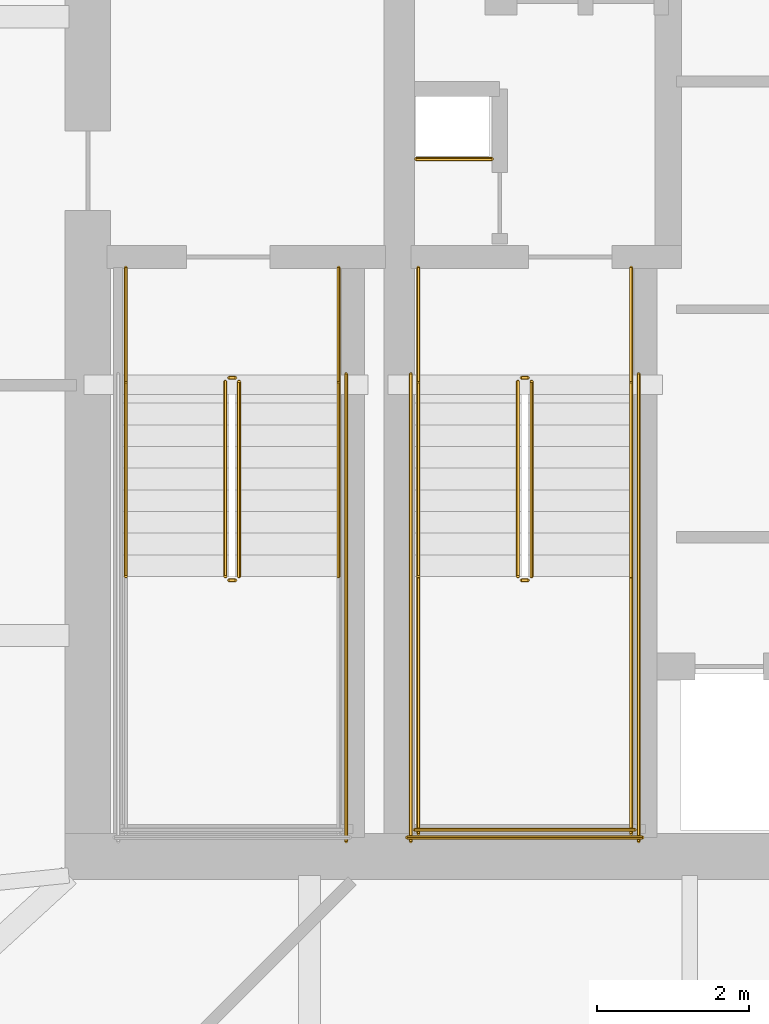
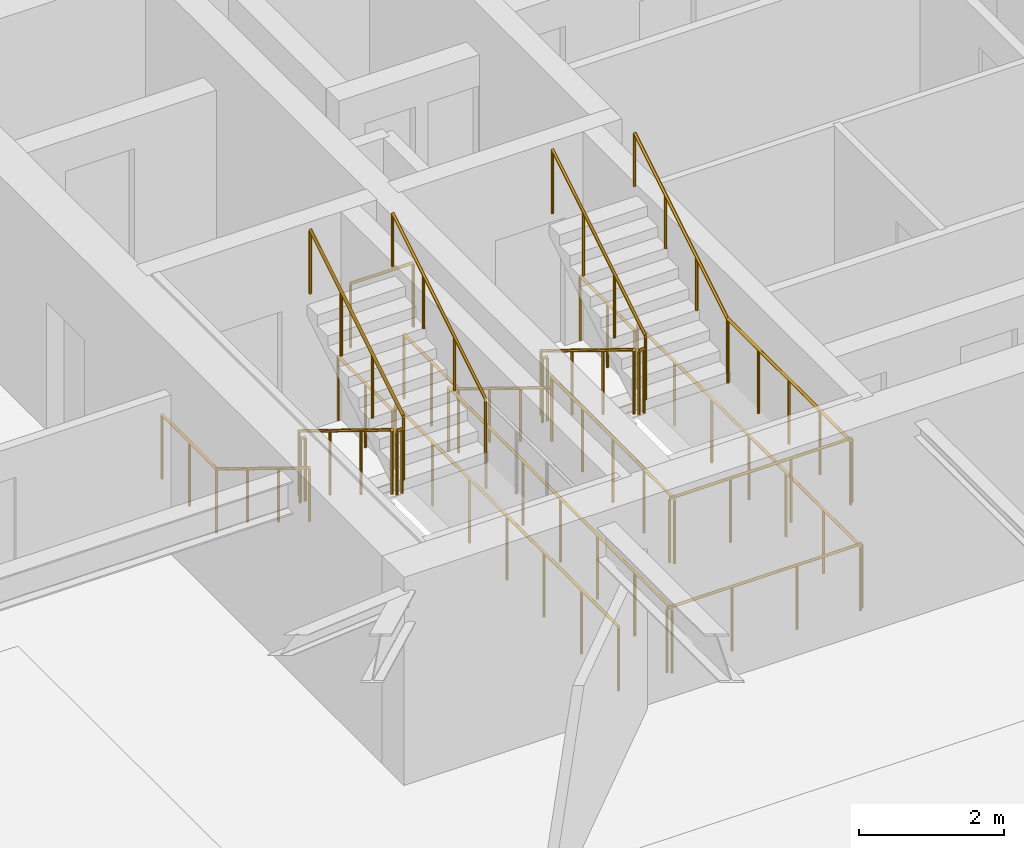
# One storey, part 18 of 21: 24 railings.
"""IFC4 building model written with IfcOpenShell, lengths in metres."""

from ifc_helpers import new_model, si_unit, direction, frame, origin, origin_2d, place, context, subcontext, project, spatial, circle, extrude, material, type_object, element, save


model = new_model("IFC4")

# Units and contexts
model_context = context("Model", 3, precision=1e-05, world=origin(), true_north=direction((0.0, 1.0)))
body_context = subcontext(model_context, "Body", "Model", "MODEL_VIEW")
ifc_project = project(units=[si_unit("LENGTHUNIT", "METRE"), si_unit("AREAUNIT", "SQUARE_METRE"), si_unit("VOLUMEUNIT", "CUBIC_METRE"), si_unit("PLANEANGLEUNIT", "RADIAN"), si_unit("MASSUNIT", "GRAM", prefix="KILO")], contexts=[model_context])

# Site, building, storey
site_placement = place(None, origin())
site = spatial("IfcSite", under=ifc_project, at=site_placement, CompositionType="ELEMENT")
building_placement = place(site_placement, origin())
building = spatial("IfcBuilding", under=site, at=building_placement, Name="Bramvorn Convention Spire", CompositionType="ELEMENT")
storey_placement = place(building_placement, frame((0.0, 0.0, 102.800048828125)))
storey = spatial("IfcBuildingStorey", under=building, at=storey_placement, Name="L24", CompositionType="ELEMENT", Elevation=102.800048828125)

# Railings
ifc_material_1 = material(Name="Painted Steel Balustrade & Guardrail", Category="steel")
railing_type_1 = type_object("IfcRailingType", Name="RL-STAIR-GUARD-1100", PredefinedType="GUARDRAIL", material=ifc_material_1)
railing_1_placement = place(storey_placement, frame((28.81005859375, 25.050048828125, 0.175048828125)))
element("IfcRailing", 1, at=railing_1_placement, inside=storey, type_object=railing_type_1, Name="L24 ST1 stair guard 1", PredefinedType="GUARDRAIL", context=body_context, shape_type="SweptSolid", body=[
    extrude(circle(Radius=0.02392578125, at=origin_2d()), frame((0.0, 0.0, 1.076171875), z_axis=(0.0, -0.852173129349, 0.523259933127), x_axis=(1.0, 0.0, 0.0)), (0.0, 0.0, 1.0), 3.009765625),
    extrude(circle(Radius=0.02099609375, at=origin_2d()), origin(), (0.0, 0.0, 1.0), 1.052001953125),
    extrude(circle(Radius=0.02099609375, at=origin_2d()), frame((0.0, -0.85498046875, 0.52490234375)), (0.0, 0.0, 1.0), 1.052001953125),
    extrude(circle(Radius=0.02099609375, at=origin_2d()), frame((0.0, -1.7099609375, 1.050048828125)), (0.0, 0.0, 1.0), 1.052001953125),
    extrude(circle(Radius=0.02099609375, at=origin_2d()), frame((0.0, -2.56494140625, 1.574951171875)), (0.0, 0.0, 1.0), 1.052001953125),
])
railing_2_placement = place(storey_placement, frame((28.860107421875, 22.43505859375, 1.75)))
element("IfcRailing", 2, at=railing_2_placement, inside=storey, type_object=railing_type_1, Name="L24 ST1 stair guard 2", PredefinedType="GUARDRAIL", context=body_context, shape_type="SweptSolid", body=[
    extrude(circle(Radius=0.02392578125, at=origin_2d()), frame((0.0, 0.0, 1.076171875), z_axis=(1.0, 0.0, 0.0), x_axis=(0.0, 1.0, 0.0)), (0.0, 0.0, 1.0), 0.079833984375),
    extrude(circle(Radius=0.02099609375, at=origin_2d()), origin(), (0.0, 0.0, 1.0), 1.052001953125),
    extrude(circle(Radius=0.02099609375, at=origin_2d()), frame((0.079833984375, 0.0, 0.0)), (0.0, 0.0, 1.0), 1.052001953125),
])
railing_3_placement = place(storey_placement, frame((28.989990234375, 22.485107421875, 1.925048828125)))
element("IfcRailing", 3, at=railing_3_placement, inside=storey, type_object=railing_type_1, Name="L24 ST1 stair guard 6", PredefinedType="GUARDRAIL", context=body_context, shape_type="SweptSolid", body=[
    extrude(circle(Radius=0.02392578125, at=origin_2d()), frame((0.0, 0.0, 1.076171875), z_axis=(0.0, 0.852173129349, 0.523259933127), x_axis=(-1.0, 0.0, 0.0)), (0.0, 0.0, 1.0), 3.009765625),
    extrude(circle(Radius=0.02099609375, at=origin_2d()), origin(), (0.0, 0.0, 1.0), 1.052001953125),
    extrude(circle(Radius=0.02099609375, at=origin_2d()), frame((0.0, 0.85498046875, 0.52490234375)), (0.0, 0.0, 1.0), 1.052001953125),
    extrude(circle(Radius=0.02099609375, at=origin_2d()), frame((0.0, 1.7099609375, 1.050048828125)), (0.0, 0.0, 1.0), 1.052001953125),
    extrude(circle(Radius=0.02099609375, at=origin_2d()), frame((0.0, 2.56494140625, 1.574951171875)), (0.0, 0.0, 1.0), 1.052001953125),
])
railing_4_placement = place(storey_placement, frame((28.860107421875, 25.10009765625, 0.0)))
element("IfcRailing", 4, at=railing_4_placement, inside=storey, type_object=railing_type_1, Name="L24 ST1 stair guard 7", PredefinedType="GUARDRAIL", context=body_context, shape_type="SweptSolid", body=[
    extrude(circle(Radius=0.02392578125, at=origin_2d()), frame((0.0, 0.0, 1.076171875), z_axis=(1.0, 0.0, 0.0), x_axis=(0.0, 1.0, 0.0)), (0.0, 0.0, 1.0), 0.079833984375),
    extrude(circle(Radius=0.02099609375, at=origin_2d()), origin(), (0.0, 0.0, 1.0), 1.052001953125),
    extrude(circle(Radius=0.02099609375, at=origin_2d()), frame((0.079833984375, 0.0, 0.0)), (0.0, 0.0, 1.0), 1.052001953125),
])
for number, where, name in (
    (5, (27.5, 26.550048828125, 0.0), "L24 ST1 stair guard 8"),
    (6, (30.300048828125, 26.550048828125, 0.0), "L24 ST1 stair guard 9"),
):
    element("IfcRailing", number, at=place(storey_placement, frame(where)), inside=storey, type_object=railing_type_1, Name=name, PredefinedType="GUARDRAIL", context=body_context, shape_type="SweptSolid", body=[
        extrude(circle(Radius=0.02392578125, at=origin_2d()), frame((0.0, 0.0, 1.076171875), z_axis=(0.0, -1.0, 0.0), x_axis=(1.0, 0.0, 0.0)), (0.0, 0.0, 1.0), 1.5),
        extrude(circle(Radius=0.02099609375, at=origin_2d()), origin(), (0.0, 0.0, 1.0), 1.052001953125),
        extrude(circle(Radius=0.02099609375, at=origin_2d()), frame((0.0, -0.75, 0.0)), (0.0, 0.0, 1.0), 1.052001953125),
        extrude(circle(Radius=0.02099609375, at=origin_2d()), frame((0.0, -1.5, 0.0)), (0.0, 0.0, 1.0), 1.052001953125),
    ])
railing_5_placement = place(storey_placement, frame((30.39990234375, 25.14990234375, 0.0)))
element("IfcRailing", 7, at=railing_5_placement, inside=storey, type_object=railing_type_1, Name="L24 ST1 stair guard 11", PredefinedType="GUARDRAIL", context=body_context, shape_type="SweptSolid", body=[
    extrude(circle(Radius=0.02392578125, at=origin_2d()), frame((0.0, 0.0, 1.076171875), z_axis=(0.0, -1.0, 0.0), x_axis=(1.0, 0.0, 0.0)), (0.0, 0.0, 1.0), 6.14990234375),
    extrude(circle(Radius=0.02099609375, at=origin_2d()), origin(), (0.0, 0.0, 1.0), 1.052001953125),
    extrude(circle(Radius=0.02099609375, at=origin_2d()), frame((0.0, -1.02490234375, 0.0)), (0.0, 0.0, 1.0), 1.052001953125),
    extrude(circle(Radius=0.02099609375, at=origin_2d()), frame((0.0, -2.050048828125, 0.0)), (0.0, 0.0, 1.0), 1.052001953125),
    extrude(circle(Radius=0.02099609375, at=origin_2d()), frame((0.0, -3.074951171875, 0.0)), (0.0, 0.0, 1.0), 1.052001953125),
    extrude(circle(Radius=0.02099609375, at=origin_2d()), frame((0.0, -4.099853515625, 0.0)), (0.0, 0.0, 1.0), 1.052001953125),
    extrude(circle(Radius=0.02099609375, at=origin_2d()), frame((0.0, -5.125, 0.0)), (0.0, 0.0, 1.0), 1.052001953125),
    extrude(circle(Radius=0.02099609375, at=origin_2d()), frame((0.0, -6.14990234375, 0.0)), (0.0, 0.0, 1.0), 1.052001953125),
])
railing_6_placement = place(storey_placement, frame((32.659912109375, 25.050048828125, 0.175048828125)))
element("IfcRailing", 8, at=railing_6_placement, inside=storey, type_object=railing_type_1, Name="L24 ST3 stair guard 1", PredefinedType="GUARDRAIL", context=body_context, shape_type="SweptSolid", body=[
    extrude(circle(Radius=0.02392578125, at=origin_2d()), frame((0.0, 0.0, 1.076171875), z_axis=(0.0, -0.852173129349, 0.523259933127), x_axis=(1.0, 0.0, 0.0)), (0.0, 0.0, 1.0), 3.009765625),
    extrude(circle(Radius=0.02099609375, at=origin_2d()), origin(), (0.0, 0.0, 1.0), 1.052001953125),
    extrude(circle(Radius=0.02099609375, at=origin_2d()), frame((0.0, -0.85498046875, 0.52490234375)), (0.0, 0.0, 1.0), 1.052001953125),
    extrude(circle(Radius=0.02099609375, at=origin_2d()), frame((0.0, -1.7099609375, 1.050048828125)), (0.0, 0.0, 1.0), 1.052001953125),
    extrude(circle(Radius=0.02099609375, at=origin_2d()), frame((0.0, -2.56494140625, 1.574951171875)), (0.0, 0.0, 1.0), 1.052001953125),
])
railing_7_placement = place(storey_placement, frame((32.7099609375, 22.43505859375, 1.75)))
element("IfcRailing", 9, at=railing_7_placement, inside=storey, type_object=railing_type_1, Name="L24 ST3 stair guard 2", PredefinedType="GUARDRAIL", context=body_context, shape_type="SweptSolid", body=[
    extrude(circle(Radius=0.02392578125, at=origin_2d()), frame((0.0, 0.0, 1.076171875), z_axis=(1.0, 0.0, 0.0), x_axis=(0.0, 1.0, 0.0)), (0.0, 0.0, 1.0), 0.080078125),
    extrude(circle(Radius=0.02099609375, at=origin_2d()), origin(), (0.0, 0.0, 1.0), 1.052001953125),
    extrude(circle(Radius=0.02099609375, at=origin_2d()), frame((0.080078125, 0.0, 0.0)), (0.0, 0.0, 1.0), 1.052001953125),
])
for number, where, name in (
    (10, (31.35009765625, 22.485107421875, 1.75), "L24 ST3 stair guard 3"),
    (11, (34.14990234375, 22.485107421875, 1.75), "L24 ST3 stair guard 4"),
):
    element("IfcRailing", number, at=place(storey_placement, frame(where)), inside=storey, type_object=railing_type_1, Name=name, PredefinedType="GUARDRAIL", context=body_context, shape_type="SweptSolid", body=[
        extrude(circle(Radius=0.02392578125, at=origin_2d()), frame((0.0, 0.0, 1.076171875), z_axis=(0.0, -1.0, 0.0), x_axis=(1.0, 0.0, 0.0)), (0.0, 0.0, 1.0), 3.385009765625),
        extrude(circle(Radius=0.02099609375, at=origin_2d()), origin(), (0.0, 0.0, 1.0), 1.052001953125),
        extrude(circle(Radius=0.02099609375, at=origin_2d()), frame((0.0, -0.84619140625, 0.0)), (0.0, 0.0, 1.0), 1.052001953125),
        extrude(circle(Radius=0.02099609375, at=origin_2d()), frame((0.0, -1.6923828125, 0.0)), (0.0, 0.0, 1.0), 1.052001953125),
        extrude(circle(Radius=0.02099609375, at=origin_2d()), frame((0.0, -2.538818359375, 0.0)), (0.0, 0.0, 1.0), 1.052001953125),
        extrude(circle(Radius=0.02099609375, at=origin_2d()), frame((0.0, -3.385009765625, 0.0)), (0.0, 0.0, 1.0), 1.052001953125),
    ])
railing_8_placement = place(storey_placement, frame((31.300048828125, 19.14990234375, 1.75)))
element("IfcRailing", 12, at=railing_8_placement, inside=storey, type_object=railing_type_1, Name="L24 ST3 stair guard 5", PredefinedType="GUARDRAIL", context=body_context, shape_type="SweptSolid", body=[
    extrude(circle(Radius=0.02392578125, at=origin_2d()), frame((0.0, 0.0, 1.076171875), z_axis=(1.0, 0.0, 0.0), x_axis=(0.0, 1.0, 0.0)), (0.0, 0.0, 1.0), 2.89990234375),
    extrude(circle(Radius=0.02099609375, at=origin_2d()), origin(), (0.0, 0.0, 1.0), 1.052001953125),
    extrude(circle(Radius=0.02099609375, at=origin_2d()), frame((0.966552734375, 0.0, 0.0)), (0.0, 0.0, 1.0), 1.052001953125),
    extrude(circle(Radius=0.02099609375, at=origin_2d()), frame((1.933349609375, 0.0, 0.0)), (0.0, 0.0, 1.0), 1.052001953125),
    extrude(circle(Radius=0.02099609375, at=origin_2d()), frame((2.89990234375, 0.0, 0.0)), (0.0, 0.0, 1.0), 1.052001953125),
])
railing_9_placement = place(storey_placement, frame((32.840087890625, 22.485107421875, 1.925048828125)))
element("IfcRailing", 13, at=railing_9_placement, inside=storey, type_object=railing_type_1, Name="L24 ST3 stair guard 6", PredefinedType="GUARDRAIL", context=body_context, shape_type="SweptSolid", body=[
    extrude(circle(Radius=0.02392578125, at=origin_2d()), frame((0.0, 0.0, 1.076171875), z_axis=(0.0, 0.852173129349, 0.523259933127), x_axis=(-1.0, 0.0, 0.0)), (0.0, 0.0, 1.0), 3.009765625),
    extrude(circle(Radius=0.02099609375, at=origin_2d()), origin(), (0.0, 0.0, 1.0), 1.052001953125),
    extrude(circle(Radius=0.02099609375, at=origin_2d()), frame((0.0, 0.85498046875, 0.52490234375)), (0.0, 0.0, 1.0), 1.052001953125),
    extrude(circle(Radius=0.02099609375, at=origin_2d()), frame((0.0, 1.7099609375, 1.050048828125)), (0.0, 0.0, 1.0), 1.052001953125),
    extrude(circle(Radius=0.02099609375, at=origin_2d()), frame((0.0, 2.56494140625, 1.574951171875)), (0.0, 0.0, 1.0), 1.052001953125),
])
railing_10_placement = place(storey_placement, frame((32.7099609375, 25.10009765625, 0.0)))
element("IfcRailing", 14, at=railing_10_placement, inside=storey, type_object=railing_type_1, Name="L24 ST3 stair guard 7", PredefinedType="GUARDRAIL", context=body_context, shape_type="SweptSolid", body=[
    extrude(circle(Radius=0.02392578125, at=origin_2d()), frame((0.0, 0.0, 1.076171875), z_axis=(1.0, 0.0, 0.0), x_axis=(0.0, 1.0, 0.0)), (0.0, 0.0, 1.0), 0.080078125),
    extrude(circle(Radius=0.02099609375, at=origin_2d()), origin(), (0.0, 0.0, 1.0), 1.052001953125),
    extrude(circle(Radius=0.02099609375, at=origin_2d()), frame((0.080078125, 0.0, 0.0)), (0.0, 0.0, 1.0), 1.052001953125),
])
for number, where, name in (
    (15, (31.35009765625, 26.550048828125, 0.0), "L24 ST3 stair guard 8"),
    (16, (34.14990234375, 26.550048828125, 0.0), "L24 ST3 stair guard 9"),
):
    element("IfcRailing", number, at=place(storey_placement, frame(where)), inside=storey, type_object=railing_type_1, Name=name, PredefinedType="GUARDRAIL", context=body_context, shape_type="SweptSolid", body=[
        extrude(circle(Radius=0.02392578125, at=origin_2d()), frame((0.0, 0.0, 1.076171875), z_axis=(0.0, -1.0, 0.0), x_axis=(1.0, 0.0, 0.0)), (0.0, 0.0, 1.0), 1.5),
        extrude(circle(Radius=0.02099609375, at=origin_2d()), origin(), (0.0, 0.0, 1.0), 1.052001953125),
        extrude(circle(Radius=0.02099609375, at=origin_2d()), frame((0.0, -0.75, 0.0)), (0.0, 0.0, 1.0), 1.052001953125),
        extrude(circle(Radius=0.02099609375, at=origin_2d()), frame((0.0, -1.5, 0.0)), (0.0, 0.0, 1.0), 1.052001953125),
    ])
for number, where, name in (
    (17, (31.25, 25.14990234375, 0.0), "L24 ST3 stair guard 10"),
    (18, (34.25, 25.14990234375, 0.0), "L24 ST3 stair guard 11"),
):
    element("IfcRailing", number, at=place(storey_placement, frame(where)), inside=storey, type_object=railing_type_1, Name=name, PredefinedType="GUARDRAIL", context=body_context, shape_type="SweptSolid", body=[
        extrude(circle(Radius=0.02392578125, at=origin_2d()), frame((0.0, 0.0, 1.076171875), z_axis=(0.0, -1.0, 0.0), x_axis=(1.0, 0.0, 0.0)), (0.0, 0.0, 1.0), 6.14990234375),
        extrude(circle(Radius=0.02099609375, at=origin_2d()), origin(), (0.0, 0.0, 1.0), 1.052001953125),
        extrude(circle(Radius=0.02099609375, at=origin_2d()), frame((0.0, -1.02490234375, 0.0)), (0.0, 0.0, 1.0), 1.052001953125),
        extrude(circle(Radius=0.02099609375, at=origin_2d()), frame((0.0, -2.050048828125, 0.0)), (0.0, 0.0, 1.0), 1.052001953125),
        extrude(circle(Radius=0.02099609375, at=origin_2d()), frame((0.0, -3.074951171875, 0.0)), (0.0, 0.0, 1.0), 1.052001953125),
        extrude(circle(Radius=0.02099609375, at=origin_2d()), frame((0.0, -4.099853515625, 0.0)), (0.0, 0.0, 1.0), 1.052001953125),
        extrude(circle(Radius=0.02099609375, at=origin_2d()), frame((0.0, -5.125, 0.0)), (0.0, 0.0, 1.0), 1.052001953125),
        extrude(circle(Radius=0.02099609375, at=origin_2d()), frame((0.0, -6.14990234375, 0.0)), (0.0, 0.0, 1.0), 1.052001953125),
    ])
railing_11_placement = place(storey_placement, frame((31.199951171875, 19.050048828125, 0.0)))
element("IfcRailing", 19, at=railing_11_placement, inside=storey, type_object=railing_type_1, Name="L24 ST3 stair guard 12", PredefinedType="GUARDRAIL", context=body_context, shape_type="SweptSolid", body=[
    extrude(circle(Radius=0.02392578125, at=origin_2d()), frame((0.0, 0.0, 1.076171875), z_axis=(1.0, 0.0, 0.0), x_axis=(0.0, 1.0, 0.0)), (0.0, 0.0, 1.0), 3.10009765625),
    extrude(circle(Radius=0.02099609375, at=origin_2d()), origin(), (0.0, 0.0, 1.0), 1.052001953125),
    extrude(circle(Radius=0.02099609375, at=origin_2d()), frame((1.033447265625, 0.0, 0.0)), (0.0, 0.0, 1.0), 1.052001953125),
    extrude(circle(Radius=0.02099609375, at=origin_2d()), frame((2.066650390625, 0.0, 0.0)), (0.0, 0.0, 1.0), 1.052001953125),
    extrude(circle(Radius=0.02099609375, at=origin_2d()), frame((3.10009765625, 0.0, 0.0)), (0.0, 0.0, 1.0), 1.052001953125),
])
railing_12_placement = place(storey_placement, frame((31.320068359375, 27.97998046875, 0.0)))
element("IfcRailing", 20, at=railing_12_placement, inside=storey, type_object=railing_type_1, Name="L24 Telecom riser shaft opening safety guardrail", PredefinedType="GUARDRAIL", context=body_context, shape_type="SweptSolid", body=[
    extrude(circle(Radius=0.02392578125, at=origin_2d()), frame((0.0, 0.0, 1.076171875), z_axis=(1.0, 0.0, 0.0), x_axis=(0.0, 1.0, 0.0)), (0.0, 0.0, 1.0), 1.0),
    extrude(circle(Radius=0.02099609375, at=origin_2d()), origin(), (0.0, 0.0, 1.0), 1.052001953125),
    extrude(circle(Radius=0.02099609375, at=origin_2d()), frame((1.0, 0.0, 0.0)), (0.0, 0.0, 1.0), 1.052001953125),
])
ifc_material_2 = material(Name="Brushed Bronze Tubular Handrail", Category="aluminium")
railing_type_2 = type_object("IfcRailingType", Name="RL-STAIR-HR-920", PredefinedType="HANDRAIL", material=ifc_material_2)
railing_13_placement = place(storey_placement, frame((27.5, 25.050048828125, 0.175048828125)))
element("IfcRailing", 21, at=railing_13_placement, inside=storey, type_object=railing_type_2, Name="L24 ST1 stair handrail 1", PredefinedType="HANDRAIL", context=body_context, shape_type="SweptSolid", body=[
    extrude(circle(Radius=0.02392578125, at=origin_2d()), frame((0.0, 0.0, 0.89599609375), z_axis=(0.0, -0.852173129349, 0.523259933127), x_axis=(1.0, 0.0, 0.0)), (0.0, 0.0, 1.0), 3.009765625),
    extrude(circle(Radius=0.02099609375, at=origin_2d()), origin(), (0.0, 0.0, 1.0), 0.871826171875),
    extrude(circle(Radius=0.02099609375, at=origin_2d()), frame((0.0, -0.85498046875, 0.52490234375)), (0.0, 0.0, 1.0), 0.871826171875),
    extrude(circle(Radius=0.02099609375, at=origin_2d()), frame((0.0, -1.7099609375, 1.050048828125)), (0.0, 0.0, 1.0), 0.871826171875),
    extrude(circle(Radius=0.02099609375, at=origin_2d()), frame((0.0, -2.56494140625, 1.574951171875)), (0.0, 0.0, 1.0), 0.871826171875),
])
railing_14_placement = place(storey_placement, frame((30.300048828125, 22.485107421875, 1.925048828125)))
element("IfcRailing", 22, at=railing_14_placement, inside=storey, type_object=railing_type_2, Name="L24 ST1 stair handrail 2", PredefinedType="HANDRAIL", context=body_context, shape_type="SweptSolid", body=[
    extrude(circle(Radius=0.02392578125, at=origin_2d()), frame((0.0, 0.0, 0.89599609375), z_axis=(0.0, 0.852173129349, 0.523259933127), x_axis=(-1.0, 0.0, 0.0)), (0.0, 0.0, 1.0), 3.009765625),
    extrude(circle(Radius=0.02099609375, at=origin_2d()), origin(), (0.0, 0.0, 1.0), 0.871826171875),
    extrude(circle(Radius=0.02099609375, at=origin_2d()), frame((0.0, 0.85498046875, 0.52490234375)), (0.0, 0.0, 1.0), 0.871826171875),
    extrude(circle(Radius=0.02099609375, at=origin_2d()), frame((0.0, 1.7099609375, 1.050048828125)), (0.0, 0.0, 1.0), 0.871826171875),
    extrude(circle(Radius=0.02099609375, at=origin_2d()), frame((0.0, 2.56494140625, 1.574951171875)), (0.0, 0.0, 1.0), 0.871826171875),
])
railing_15_placement = place(storey_placement, frame((31.35009765625, 25.050048828125, 0.175048828125)))
element("IfcRailing", 23, at=railing_15_placement, inside=storey, type_object=railing_type_2, Name="L24 ST3 stair handrail 1", PredefinedType="HANDRAIL", context=body_context, shape_type="SweptSolid", body=[
    extrude(circle(Radius=0.02392578125, at=origin_2d()), frame((0.0, 0.0, 0.89599609375), z_axis=(0.0, -0.852173129349, 0.523259933127), x_axis=(1.0, 0.0, 0.0)), (0.0, 0.0, 1.0), 3.009765625),
    extrude(circle(Radius=0.02099609375, at=origin_2d()), origin(), (0.0, 0.0, 1.0), 0.871826171875),
    extrude(circle(Radius=0.02099609375, at=origin_2d()), frame((0.0, -0.85498046875, 0.52490234375)), (0.0, 0.0, 1.0), 0.871826171875),
    extrude(circle(Radius=0.02099609375, at=origin_2d()), frame((0.0, -1.7099609375, 1.050048828125)), (0.0, 0.0, 1.0), 0.871826171875),
    extrude(circle(Radius=0.02099609375, at=origin_2d()), frame((0.0, -2.56494140625, 1.574951171875)), (0.0, 0.0, 1.0), 0.871826171875),
])
railing_16_placement = place(storey_placement, frame((34.14990234375, 22.485107421875, 1.925048828125)))
element("IfcRailing", 24, at=railing_16_placement, inside=storey, type_object=railing_type_2, Name="L24 ST3 stair handrail 2", PredefinedType="HANDRAIL", context=body_context, shape_type="SweptSolid", body=[
    extrude(circle(Radius=0.02392578125, at=origin_2d()), frame((0.0, 0.0, 0.89599609375), z_axis=(0.0, 0.852173129349, 0.523259933127), x_axis=(-1.0, 0.0, 0.0)), (0.0, 0.0, 1.0), 3.009765625),
    extrude(circle(Radius=0.02099609375, at=origin_2d()), origin(), (0.0, 0.0, 1.0), 0.871826171875),
    extrude(circle(Radius=0.02099609375, at=origin_2d()), frame((0.0, 0.85498046875, 0.52490234375)), (0.0, 0.0, 1.0), 0.871826171875),
    extrude(circle(Radius=0.02099609375, at=origin_2d()), frame((0.0, 1.7099609375, 1.050048828125)), (0.0, 0.0, 1.0), 0.871826171875),
    extrude(circle(Radius=0.02099609375, at=origin_2d()), frame((0.0, 2.56494140625, 1.574951171875)), (0.0, 0.0, 1.0), 0.871826171875),
])

save(model, "model.ifc")
